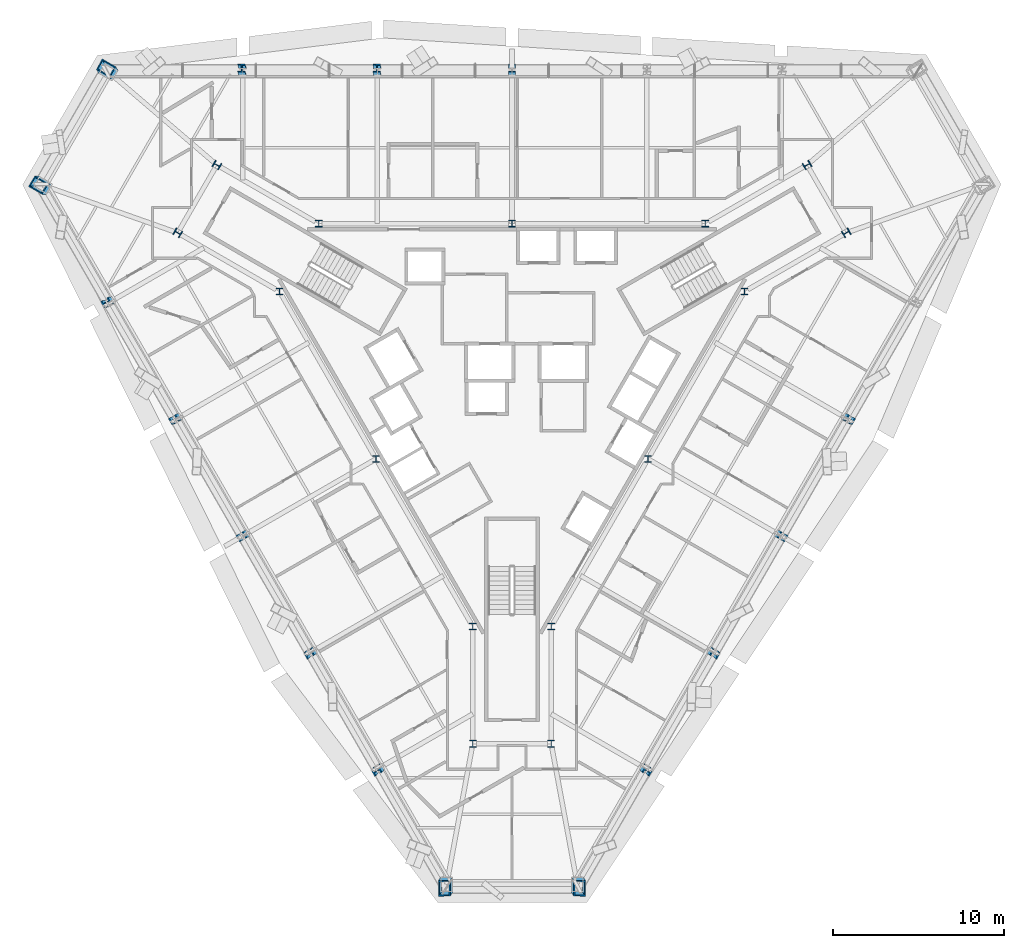
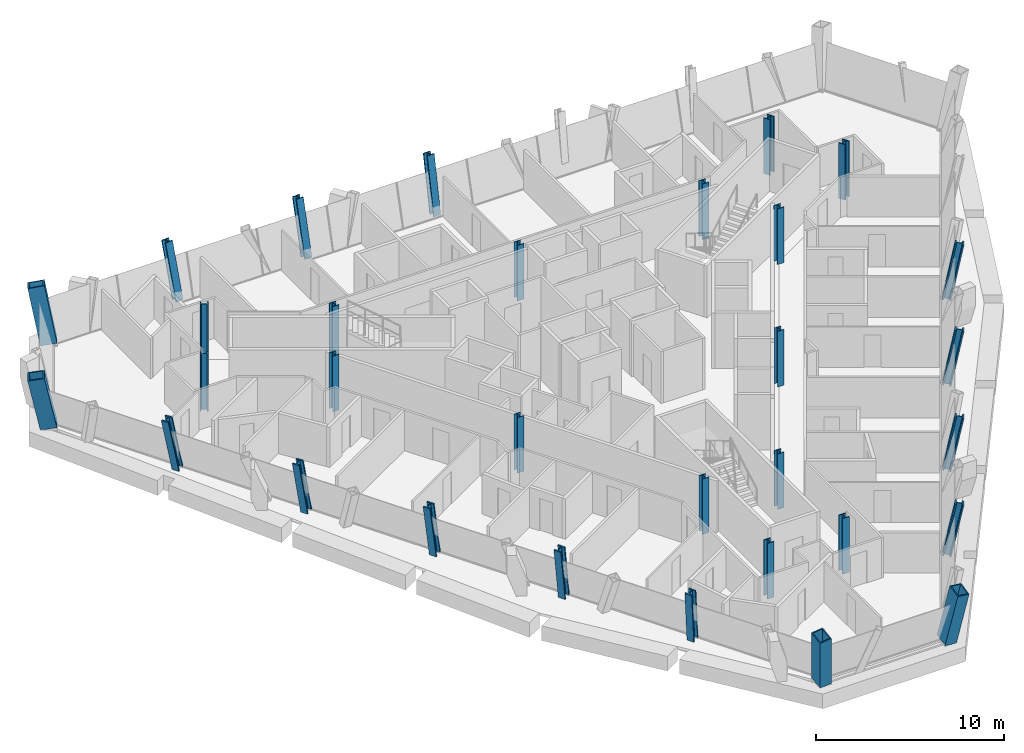
# One storey, part 1 of 13: 31 columns.
"""IFC4 building model written with IfcOpenShell, lengths in metres."""

from ifc_helpers import new_model, si_unit, direction, frame, origin, origin_2d, place, context, subcontext, project, spatial, hollow_rectangle, i_section, extrude, material, material_profile, profile_set, type_object, element, save


model = new_model("IFC4")

# Units and contexts
model_context = context("Model", 3, precision=1e-05, world=origin(), true_north=direction((0.0, 1.0)))
body_context = subcontext(model_context, "Body", "Model", "MODEL_VIEW")
ifc_project = project(units=[si_unit("LENGTHUNIT", "METRE"), si_unit("AREAUNIT", "SQUARE_METRE"), si_unit("VOLUMEUNIT", "CUBIC_METRE"), si_unit("PLANEANGLEUNIT", "RADIAN"), si_unit("MASSUNIT", "GRAM", prefix="KILO")], contexts=[model_context])

# Site, building, storey
site_placement = place(None, origin())
site = spatial("IfcSite", under=ifc_project, at=site_placement, CompositionType="ELEMENT")
building_placement = place(site_placement, origin())
building = spatial("IfcBuilding", under=site, at=building_placement, Name="Verrane Prism Tower", CompositionType="ELEMENT")
storey_placement = place(building_placement, frame((0.0, 0.0, 100.0)))
storey = spatial("IfcBuildingStorey", under=building, at=storey_placement, Name="L23", CompositionType="ELEMENT", Elevation=100.0)

# Columns
ifc_material_1 = material(Name="Steel A992", Category="steel")
ifc_material_profile_1 = material_profile(ifc_material_1, i_section(OverallWidth=0.411376953125, OverallDepth=0.434326171875, WebThickness=0.035888671875, FlangeThickness=0.057373046875, FilletRadius=0.01513671875, at=origin_2d()), Name="W14x311")
ifc_profile_set_1 = profile_set([ifc_material_profile_1], Name="Steel A992")
column_type_1 = type_object("IfcColumnType", Name="Core corner column W14x311", PredefinedType="COLUMN", material=ifc_profile_set_1)
for number, where, z_axis, x_axis, name in (
    (1, (19.60009765625, 8.659912109375, 0.0), (0.0, 0.0, 1.0), (0.5, -0.866025403784, 0.0), "Core corner column CK-NEm L23"),
    (2, (17.300048828125, 12.639892578125, 0.0), (0.0, 0.0, 1.0), (0.5, -0.866025403784, 0.0), "Core corner column CK-NEp L23"),
    (3, (-17.300048828125, 12.639892578125, 0.0), (0.0, 0.0, 1.0), (0.5, 0.866025403784, 0.0), "Core corner column CK-NWm L23"),
    (4, (-19.60009765625, 8.659912109375, 0.0), (0.0, 0.0, 1.0), (0.5, 0.866025403784, 0.0), "Core corner column CK-NWp L23"),
    (5, (-2.300048828125, -21.300048828125, 0.0), (0.0, 0.0, 1.0), (-1.0, 0.0, 0.0), "Core corner column CK-Sm L23"),
    (6, (2.300048828125, -21.300048828125, 0.0), (0.0, 0.0, 1.0), (-1.0, 0.0, 0.0), "Core corner column CK-Sp L23"),
):
    element("IfcColumn", number, at=place(storey_placement, frame(where, z_axis=z_axis, x_axis=x_axis)), inside=storey, type_object=column_type_1, Name=name, PredefinedType="COLUMN", context=body_context, shape_type="SweptSolid", body=[
        extrude(i_section(OverallWidth=0.411376953125, OverallDepth=0.434326171875, WebThickness=0.035888671875, FlangeThickness=0.057373046875, FilletRadius=0.01513671875, at=origin_2d()), origin(), (0.0, 0.0, 1.0), 3.60009765625),
    ])
ifc_material_2 = material(Name="Steel A992", Category="steel")
ifc_material_profile_2 = material_profile(ifc_material_2, i_section(OverallWidth=0.4013671875, OverallDepth=0.398681640625, WebThickness=0.02490234375, FlangeThickness=0.03955078125, FilletRadius=0.01513671875, at=origin_2d()), Name="W14x211")
ifc_profile_set_2 = profile_set([ifc_material_profile_2], Name="Steel A992")
column_type_2 = type_object("IfcColumnType", Name="Core side column W14x211", PredefinedType="COLUMN", material=ifc_profile_set_2)
for number, where, z_axis, x_axis, name in (
    (7, (13.6298828125, 5.219970703125, 0.0), (0.0, 0.0, 1.0), (1.0, 0.0, 0.0), "Core side column CC-NEm L23"),
    (8, (11.330078125, 9.199951171875, 0.0), (0.0, 0.0, 1.0), (1.0, 0.0, 0.0), "Core side column CC-NEp L23"),
    (9, (0.0, 9.199951171875, 0.0), (0.0, 0.0, 1.0), (1.0, 0.0, 0.0), "Core side column CC-N0 L23"),
    (10, (-11.330078125, 9.199951171875, 0.0), (0.0, 0.0, 1.0), (1.0, 0.0, 0.0), "Core side column CC-NWm L23"),
    (11, (-13.6298828125, 5.219970703125, 0.0), (0.0, 0.0, 1.0), (1.0, 0.0, 0.0), "Core side column CC-NWp L23"),
    (12, (-7.969970703125, -4.60009765625, 0.0), (0.0, 0.0, 1.0), (1.0, 0.0, 0.0), "Core side column CC-SW0 L23"),
    (13, (-2.300048828125, -14.419921875, 0.0), (0.0, 0.0, 1.0), (1.0, 0.0, 0.0), "Core side column CC-Sm L23"),
    (14, (2.300048828125, -14.419921875, 0.0), (0.0, 0.0, 1.0), (1.0, 0.0, 0.0), "Core side column CC-Sp L23"),
    (15, (7.969970703125, -4.60009765625, 0.0), (0.0, 0.0, 1.0), (1.0, 0.0, 0.0), "Core side column CC-SE0 L23"),
):
    element("IfcColumn", number, at=place(storey_placement, frame(where, z_axis=z_axis, x_axis=x_axis)), inside=storey, type_object=column_type_2, Name=name, PredefinedType="COLUMN", context=body_context, shape_type="SweptSolid", body=[
        extrude(i_section(OverallWidth=0.4013671875, OverallDepth=0.398681640625, WebThickness=0.02490234375, FlangeThickness=0.03955078125, FilletRadius=0.01513671875, at=origin_2d()), origin(), (0.0, 0.0, 1.0), 3.60009765625),
    ])
ifc_material_3 = material(Name="Steel A572 Grade 50", Category="steel")
ifc_material_profile_3 = material_profile(ifc_material_3, hollow_rectangle(XDim=0.699951171875, YDim=0.89990234375, WallThickness=0.06494140625, at=origin_2d()), Name="BOX 900x700x65")
ifc_profile_set_3 = profile_set([ifc_material_profile_3], Name="Steel A572 Grade 50")
column_type_3 = type_object("IfcColumnType", Name="Megacolumn BOX 900x700x65", PredefinedType="COLUMN", material=ifc_profile_set_3)
column_1_placement = place(storey_placement, frame((-23.66845703125, 18.1044921875, 0.074951171875), z_axis=(-0.111145878735, 0.189707375629, 0.975529448696), x_axis=(0.496818547965, 0.860754575623, -0.110783080574)))
element("IfcColumn", 16, at=column_1_placement, inside=storey, type_object=column_type_3, Name="Megacolumn MC-NW.a L23", PredefinedType="COLUMN", context=body_context, shape_type="SweptSolid", body=[
    extrude(hollow_rectangle(XDim=0.699951171875, YDim=0.89990234375, WallThickness=0.06494140625, at=origin_2d()), origin(), (0.0, 0.0, 1.0), 3.536376953125),
])
column_2_placement = place(storey_placement, frame((-27.516845703125, 11.449951171875, 0.074951171875), z_axis=(-0.21954669437, 0.0, 0.975601993126), x_axis=(0.496862162048, 0.860596286786, 0.111812446063)))
element("IfcColumn", 17, at=column_2_placement, inside=storey, type_object=column_type_3, Name="Megacolumn MC-NW.b L23", PredefinedType="COLUMN", context=body_context, shape_type="SweptSolid", body=[
    extrude(hollow_rectangle(XDim=0.699951171875, YDim=0.89990234375, WallThickness=0.06494140625, at=origin_2d()), origin(), (0.0, 0.0, 1.0), 3.5361328125),
])
for number, where, z_axis, x_axis, name in (
    (18, (-3.83837890625, -29.5546875, 0.074951171875), (-0.111147334109, -0.189640824097, 0.975542222539), (-0.993578089835, 0.000278243023, -0.113148141749), "Megacolumn MC-S.a L23"),
    (19, (3.83837890625, -29.5546875, 0.074951171875), (0.111147334109, -0.189640824097, 0.975542222539), (-0.993578089835, -0.000278243023, 0.113148141749), "Megacolumn MC-S.b L23"),
):
    element("IfcColumn", number, at=place(storey_placement, frame(where, z_axis=z_axis, x_axis=x_axis)), inside=storey, type_object=column_type_3, Name=name, PredefinedType="COLUMN", context=body_context, shape_type="SweptSolid", body=[
        extrude(hollow_rectangle(XDim=0.699951171875, YDim=0.89990234375, WallThickness=0.06494140625, at=origin_2d()), origin(), (0.0, 0.0, 1.0), 3.536376953125),
    ])
ifc_material_4 = material(Name="Steel A992", Category="steel")
ifc_material_profile_4 = material_profile(ifc_material_4, i_section(OverallWidth=0.424072265625, OverallDepth=0.47509765625, WebThickness=0.0478515625, FlangeThickness=0.0771484375, FilletRadius=0.014892578125, at=origin_2d()), Name="W14x426")
ifc_profile_set_4 = profile_set([ifc_material_profile_4], Name="Steel A992")
column_type_4 = type_object("IfcColumnType", Name="Perimeter column W14x426", PredefinedType="COLUMN", material=ifc_profile_set_4)
column_3_placement = place(storey_placement, frame((0.0, 18.0966796875, 0.034912109375), z_axis=(0.0, 0.190904184005, 0.981608675863), x_axis=(1.0, 0.0, 0.0)))
element("IfcColumn", 20, at=column_3_placement, inside=storey, type_object=column_type_4, Name="Perimeter column PC-N3 L23", PredefinedType="COLUMN", context=body_context, shape_type="SweptSolid", body=[
    extrude(i_section(OverallWidth=0.424072265625, OverallDepth=0.47509765625, WebThickness=0.0478515625, FlangeThickness=0.0771484375, FilletRadius=0.014892578125, at=origin_2d()), origin(), (0.0, 0.0, 1.0), 3.59619140625),
])
column_4_placement = place(storey_placement, frame((-7.891357421875, 18.097900390625, 0.0400390625), z_axis=(-0.035448987622, 0.190716914211, 0.981004805243), x_axis=(0.999348805, 0.000151262894, 0.036082448156)))
element("IfcColumn", 21, at=column_4_placement, inside=storey, type_object=column_type_4, Name="Perimeter column PC-N4 L23", PredefinedType="COLUMN", context=body_context, shape_type="SweptSolid", body=[
    extrude(i_section(OverallWidth=0.424072265625, OverallDepth=0.47509765625, WebThickness=0.0478515625, FlangeThickness=0.0771484375, FilletRadius=0.014892578125, at=origin_2d()), origin(), (0.0, 0.0, 1.0), 3.588134765625),
])
column_5_placement = place(storey_placement, frame((-15.783203125, 18.0986328125, 0.044921875), z_axis=(-0.070693557191, 0.19042310781, 0.97915344098), x_axis=(0.997401572089, -0.000160176462, 0.072042198318)))
element("IfcColumn", 22, at=column_5_placement, inside=storey, type_object=column_type_4, Name="Perimeter column PC-N5 L23", PredefinedType="COLUMN", context=body_context, shape_type="SweptSolid", body=[
    extrude(i_section(OverallWidth=0.424072265625, OverallDepth=0.47509765625, WebThickness=0.0478515625, FlangeThickness=0.0771484375, FilletRadius=0.014892578125, at=origin_2d()), origin(), (0.0, 0.0, 1.0), 3.584716796875),
])
column_6_placement = place(storey_placement, frame((-23.559326171875, 4.618408203125, 0.044921875), z_axis=(-0.203832262206, -0.03259955045, 0.978462916106), x_axis=(-0.498534021373, 0.86361257453, -0.075080960618)))
element("IfcColumn", 23, at=column_6_placement, inside=storey, type_object=column_type_4, Name="Perimeter column PC-SW1 L23", PredefinedType="COLUMN", context=body_context, shape_type="SweptSolid", body=[
    extrude(i_section(OverallWidth=0.424072265625, OverallDepth=0.47509765625, WebThickness=0.0478515625, FlangeThickness=0.0771484375, FilletRadius=0.014892578125, at=origin_2d()), origin(), (0.0, 0.0, 1.0), 3.587158203125),
])
column_7_placement = place(storey_placement, frame((-19.617431640625, -2.212646484375, 0.0400390625), z_axis=(-0.182620489527, -0.065386844425, 0.981006787632), x_axis=(-0.499563033841, 0.865557819508, -0.035304904861)))
element("IfcColumn", 24, at=column_7_placement, inside=storey, type_object=column_type_4, Name="Perimeter column PC-SW2 L23", PredefinedType="COLUMN", context=body_context, shape_type="SweptSolid", body=[
    extrude(i_section(OverallWidth=0.424072265625, OverallDepth=0.47509765625, WebThickness=0.0478515625, FlangeThickness=0.0771484375, FilletRadius=0.014892578125, at=origin_2d()), origin(), (0.0, 0.0, 1.0), 3.588134765625),
])
column_8_placement = place(storey_placement, frame((-15.67578125, -9.04345703125, 0.034912109375), z_axis=(-0.16365893308, -0.095479029009, 0.981885690212), x_axis=(-0.5000440218, 0.865999555519, 0.000863772219)))
element("IfcColumn", 25, at=column_8_placement, inside=storey, type_object=column_type_4, Name="Perimeter column PC-SW3 L23", PredefinedType="COLUMN", context=body_context, shape_type="SweptSolid", body=[
    extrude(i_section(OverallWidth=0.424072265625, OverallDepth=0.47509765625, WebThickness=0.0478515625, FlangeThickness=0.0771484375, FilletRadius=0.014892578125, at=origin_2d()), origin(), (0.0, 0.0, 1.0), 3.59521484375),
])
column_9_placement = place(storey_placement, frame((-11.72607421875, -15.885009765625, 0.0400390625), z_axis=(-0.147122626848, -0.12541489421, 0.981135075807), x_axis=(-0.499983433804, 0.865301512417, 0.035635074456)))
element("IfcColumn", 26, at=column_9_placement, inside=storey, type_object=column_type_4, Name="Perimeter column PC-SW4 L23", PredefinedType="COLUMN", context=body_context, shape_type="SweptSolid", body=[
    extrude(i_section(OverallWidth=0.424072265625, OverallDepth=0.47509765625, WebThickness=0.0478515625, FlangeThickness=0.0771484375, FilletRadius=0.014892578125, at=origin_2d()), origin(), (0.0, 0.0, 1.0), 3.587646484375),
])
for number, where, z_axis, x_axis, name in (
    (27, (-7.785888671875, -22.71728515625, 0.044921875), (-0.127836504711, -0.157735399526, 0.979171778494), (-0.498572298462, 0.863680403358, 0.074039341307), "Perimeter column PC-SW5 L23"),
    (28, (7.785888671875, -22.71728515625, 0.044921875), (0.127836504711, -0.157735399526, 0.979171778494), (-0.498572298462, -0.863680403358, -0.074039341307), "Perimeter column PC-SE1 L23"),
):
    element("IfcColumn", number, at=place(storey_placement, frame(where, z_axis=z_axis, x_axis=x_axis)), inside=storey, type_object=column_type_4, Name=name, PredefinedType="COLUMN", context=body_context, shape_type="SweptSolid", body=[
        extrude(i_section(OverallWidth=0.424072265625, OverallDepth=0.47509765625, WebThickness=0.0478515625, FlangeThickness=0.0771484375, FilletRadius=0.014892578125, at=origin_2d()), origin(), (0.0, 0.0, 1.0), 3.584716796875),
    ])
column_10_placement = place(storey_placement, frame((11.72607421875, -15.885009765625, 0.0400390625), z_axis=(0.147122626848, -0.12541489421, 0.981135075807), x_axis=(-0.499983433804, -0.865301512417, -0.035635074456)))
element("IfcColumn", 29, at=column_10_placement, inside=storey, type_object=column_type_4, Name="Perimeter column PC-SE2 L23", PredefinedType="COLUMN", context=body_context, shape_type="SweptSolid", body=[
    extrude(i_section(OverallWidth=0.424072265625, OverallDepth=0.47509765625, WebThickness=0.0478515625, FlangeThickness=0.0771484375, FilletRadius=0.014892578125, at=origin_2d()), origin(), (0.0, 0.0, 1.0), 3.587646484375),
])
column_11_placement = place(storey_placement, frame((15.67578125, -9.04345703125, 0.034912109375), z_axis=(0.16365893308, -0.095479029009, 0.981885690212), x_axis=(-0.5000440218, -0.865999555519, -0.000863772219)))
element("IfcColumn", 30, at=column_11_placement, inside=storey, type_object=column_type_4, Name="Perimeter column PC-SE3 L23", PredefinedType="COLUMN", context=body_context, shape_type="SweptSolid", body=[
    extrude(i_section(OverallWidth=0.424072265625, OverallDepth=0.47509765625, WebThickness=0.0478515625, FlangeThickness=0.0771484375, FilletRadius=0.014892578125, at=origin_2d()), origin(), (0.0, 0.0, 1.0), 3.59521484375),
])
column_12_placement = place(storey_placement, frame((19.617431640625, -2.212646484375, 0.0400390625), z_axis=(0.182620489527, -0.065386844425, 0.981006787632), x_axis=(-0.499563033841, -0.865557819508, 0.035304904861)))
element("IfcColumn", 31, at=column_12_placement, inside=storey, type_object=column_type_4, Name="Perimeter column PC-SE4 L23", PredefinedType="COLUMN", context=body_context, shape_type="SweptSolid", body=[
    extrude(i_section(OverallWidth=0.424072265625, OverallDepth=0.47509765625, WebThickness=0.0478515625, FlangeThickness=0.0771484375, FilletRadius=0.014892578125, at=origin_2d()), origin(), (0.0, 0.0, 1.0), 3.588134765625),
])

save(model, "model.ifc")
